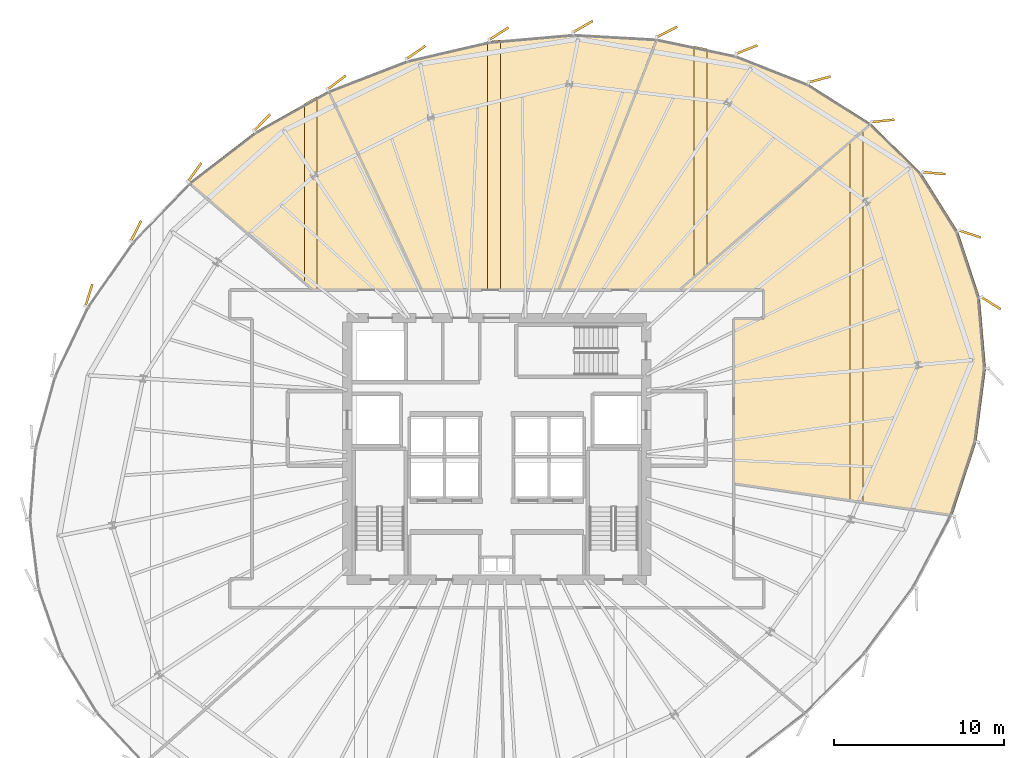
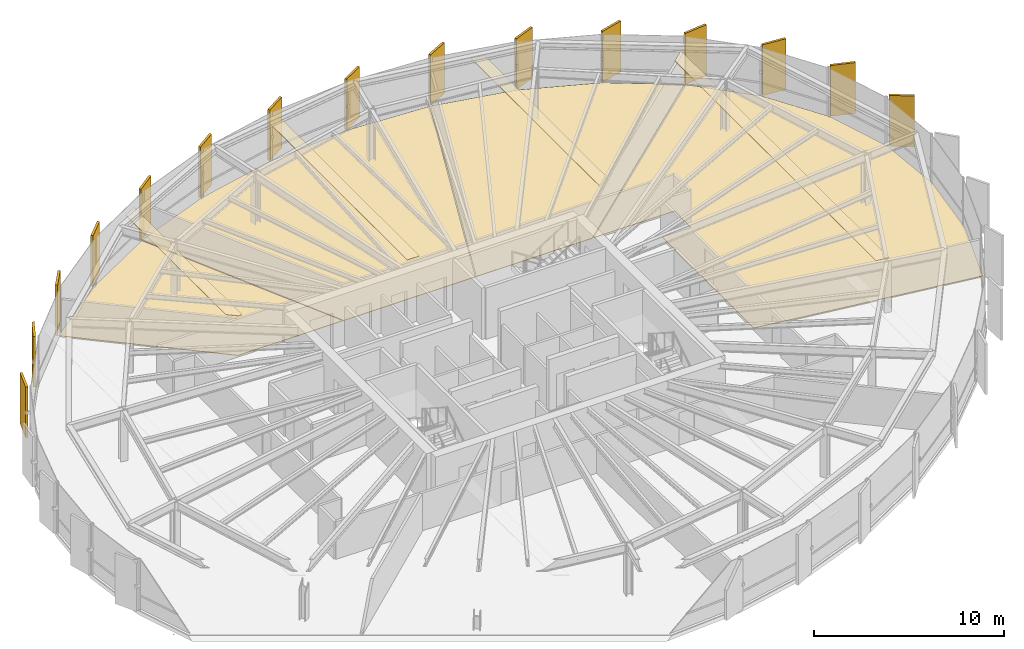
# One storey, part 35 of 35: 23 coverings.
"""IFC4 building model written with IfcOpenShell, lengths in metres."""

from ifc_helpers import new_model, si_unit, direction, frame, origin, origin_2d, place, context, subcontext, project, spatial, polyline, rectangle, outline, extrude, source, transform, mapped, material, layer, layer_set, type_object, element, save


model = new_model("IFC4")

# Units and contexts
model_context = context("Model", 3, precision=1e-05, world=origin(), true_north=direction((0.0, 1.0)))
body_context = subcontext(model_context, "Body", "Model", "MODEL_VIEW")
ifc_project = project(units=[si_unit("LENGTHUNIT", "METRE"), si_unit("AREAUNIT", "SQUARE_METRE"), si_unit("VOLUMEUNIT", "CUBIC_METRE"), si_unit("PLANEANGLEUNIT", "RADIAN"), si_unit("MASSUNIT", "GRAM", prefix="KILO"), si_unit("THERMODYNAMICTEMPERATUREUNIT", "KELVIN")], contexts=[model_context])

# Site, building, storey
site_placement = place(None, origin())
site = spatial("IfcSite", under=ifc_project, at=site_placement, CompositionType="ELEMENT")
building_placement = place(site_placement, origin())
building = spatial("IfcBuilding", under=site, at=building_placement, Name="Kethvar Cultural Tower", CompositionType="ELEMENT")
storey_placement = place(building_placement, frame((0.0, 0.0, 135.89990234375)))
storey = spatial("IfcBuildingStorey", under=building, at=storey_placement, Name="L34", CompositionType="ELEMENT", Elevation=135.89990234375)

# Coverings
ifc_material_1 = material(Name="Acoustic Mineral Fibre Ceiling")
ifc_layer_1 = layer(ifc_material_1, 0.0400390625, Name="Acoustic Mineral Fibre Ceiling")
ifc_layer_set_1 = layer_set([ifc_layer_1], Name="Acoustic Mineral Fibre Ceiling (40 mm)")
covering_type_1 = type_object("IfcCoveringType", Name="CV-ACOUSTIC-CEIL", PredefinedType="CEILING", material=ifc_layer_set_1)
covering_1_placement = place(storey_placement, frame((0.0, 0.0, 2.56005859375)))
element("IfcCovering", 1, at=covering_1_placement, inside=storey, type_object=covering_type_1, Name="L34 Room 04 Acoustic Ceiling Panel", PredefinedType="CEILING", context=body_context, shape_type="SweptSolid", body=[
    extrude(outline(polyline([(67.59326171875, 24.732177734375), (67.59326171875, 45.930419921875), (68.34326171875, 46.58349609375), (68.34326171875, 24.622314453125), (67.59326171875, 24.732177734375)])), origin(), (0.0, 0.0, 1.0), 0.0400390625),
])
covering_2_placement = place(storey_placement, frame((0.0, 0.0, 2.56005859375)))
element("IfcCovering", 2, at=covering_2_placement, inside=storey, type_object=covering_type_1, Name="L34 Room 05 Acoustic Ceiling Panel", PredefinedType="CEILING", context=body_context, shape_type="SweptSolid", body=[
    extrude(outline(polyline([(58.42138671875, 37.8916015625), (58.42138671875, 51.5048828125), (59.17138671875, 51.3466796875), (59.17138671875, 38.544677734375), (58.42138671875, 37.8916015625)])), origin(), (0.0, 0.0, 1.0), 0.0400390625),
])
covering_3_placement = place(storey_placement, frame((0.0, 0.0, 2.56005859375)))
element("IfcCovering", 3, at=covering_3_placement, inside=storey, type_object=covering_type_1, Name="L34 Room 06 Acoustic Ceiling Panel", PredefinedType="CEILING", context=body_context, shape_type="SweptSolid", body=[
    extrude(outline(polyline([(46.258544921875, 51.787353515625), (47.008544921875, 51.868896484375), (47.008544921875, 37.1298828125), (46.258544921875, 37.1298828125), (46.258544921875, 51.787353515625)])), origin(), (0.0, 0.0, 1.0), 0.0400390625),
])
covering_4_placement = place(storey_placement, frame((0.0, 0.0, 2.56005859375)))
element("IfcCovering", 4, at=covering_4_placement, inside=storey, type_object=covering_type_1, Name="L34 Room 07 Acoustic Ceiling Panel", PredefinedType="CEILING", context=body_context, shape_type="SweptSolid", body=[
    extrude(outline(polyline([(36.2265625, 48.535400390625), (36.2265625, 37.1298828125), (35.990478515625, 37.1298828125), (35.4765625, 37.568115234375), (35.4765625, 48.114501953125), (36.2265625, 48.535400390625)])), origin(), (0.0, 0.0, 1.0), 0.0400390625),
])
ifc_material_2 = material(Name="Honed Warm Limestone", Category="masonry")
ifc_layer_2 = layer(ifc_material_2, 0.030029296875, Name="Honed Warm Limestone", Category="masonry")
ifc_layer_set_2 = layer_set([ifc_layer_2], Name="Honed Warm Limestone (30 mm)")
covering_type_2 = type_object("IfcCoveringType", Name="CV-STONE-FLOOR", PredefinedType="FLOORING", material=ifc_layer_set_2)
covering_5_placement = place(storey_placement, origin())
element("IfcCovering", 5, at=covering_5_placement, inside=storey, type_object=covering_type_2, Name="L34 Room 04 Floor Finish", PredefinedType="FLOORING", context=body_context, shape_type="SweptSolid", body=[
    extrude(outline(polyline([(75.57470703125, 32.544189453125), (75.019287109375, 28.218994140625), (73.603759765625, 23.8916015625), (60.77001953125, 25.772705078125), (60.77001953125, 35.429931640625), (62.51416015625, 35.435791015625), (62.51904296875, 37.15576171875), (57.59228515625, 37.169921875), (68.808837890625, 46.935791015625), (71.7783203125, 44.019775390625), (73.943359375, 40.572509765625), (75.21923828125, 36.70751953125), (75.57470703125, 32.544189453125)])), origin(), (0.0, 0.0, 1.0), 0.030029296875),
])
covering_6_placement = place(storey_placement, origin())
element("IfcCovering", 6, at=covering_6_placement, inside=storey, type_object=covering_type_2, Name="L34 Room 05 Floor Finish", PredefinedType="FLOORING", context=body_context, shape_type="SweptSolid", body=[
    extrude(outline(polyline([(60.859619140625, 50.949462890625), (65.110595703125, 49.2763671875), (68.7763671875, 46.96044921875), (57.531494140625, 37.169921875), (50.47216796875, 37.169921875), (56.221923828125, 51.92822265625), (60.859619140625, 50.949462890625)])), origin(), (0.0, 0.0, 1.0), 0.030029296875),
])
covering_7_placement = place(storey_placement, origin())
element("IfcCovering", 7, at=covering_7_placement, inside=storey, type_object=covering_type_2, Name="L34 Room 06 Floor Finish", PredefinedType="FLOORING", context=body_context, shape_type="SweptSolid", body=[
    extrude(outline(polyline([(41.520751953125, 50.64990234375), (46.375732421875, 51.7734375), (51.32275390625, 52.205810546875), (56.180908203125, 51.932861328125), (50.42919921875, 37.169921875), (42.412841796875, 37.169921875), (36.907958984375, 48.86865234375), (41.520751953125, 50.64990234375)])), origin(), (0.0, 0.0, 1.0), 0.030029296875),
])
covering_8_placement = place(storey_placement, origin())
element("IfcCovering", 8, at=covering_8_placement, inside=storey, type_object=covering_type_2, Name="L34 Room 07 Floor Finish", PredefinedType="FLOORING", context=body_context, shape_type="SweptSolid", body=[
    extrude(outline(polyline([(32.577392578125, 46.44140625), (36.871826171875, 48.8515625), (42.36865234375, 37.169921875), (35.998046875, 37.169921875), (28.7158203125, 43.468994140625), (32.577392578125, 46.44140625)])), origin(), (0.0, 0.0, 1.0), 0.030029296875),
])
ifc_material_3 = material(Name="Extruded Architectural Terracotta", Category="masonry")
ifc_layer_3 = layer(ifc_material_3, 0.135009765625, Name="Extruded Architectural Terracotta", Category="masonry")
ifc_layer_set_3 = layer_set([ifc_layer_3], Name="Extruded Architectural Terracotta (135 mm)")
covering_type_3 = type_object("IfcCoveringType", Name="Terracotta Facade Fin FIN-02", PredefinedType="CLADDING", material=ifc_layer_set_3)
shared_shape = source(origin(), body_context, "Body", "SweptSolid", [
    extrude(rectangle(XDim=1.35009765625, YDim=0.135009765625, at=origin_2d()), origin(), (0.0, 0.0, 1.0), 3.260009765625),
])
for number, where, z_axis, x_axis, name in (
    (9, (74.649658203125, 40.44580078125, 0.02001953125), (0.0, 0.0, 1.0), (0.949972051525, -0.312334918512, 0.0), "L34 Vertical Terracotta Fin 1.1"),
    (10, (72.5224609375, 44.02880859375, 0.02001953125), (0.0, 0.0, 1.0), (0.995963111248, -0.089763472712, 0.0), "L34 Vertical Terracotta Fin 1.2"),
    (11, (69.523681640625, 47.101318359375, 0.02001953125), (0.0, 0.0, 1.0), (0.994485347462, 0.104875610524, 0.0), "L34 Vertical Terracotta Fin 1.3"),
    (12, (65.801025390625, 49.543212890625, 0.02001953125), (0.0, 0.0, 1.0), (0.96601611233, 0.258481857621, 0.0), "L34 Vertical Terracotta Fin 1.4"),
    (13, (61.5087890625, 51.297607421875, 0.02001953125), (0.0, 0.0, 1.0), (0.928550628654, 0.371205778547, 0.0), "L34 Vertical Terracotta Fin 1.5"),
    (14, (56.81689453125, 52.33447265625, 0.02001953125), (0.0, 0.0, 1.0), (0.893371388328, 0.449318998616, 0.0), "L34 Vertical Terracotta Fin 1.6"),
    (15, (51.861083984375, 52.639892578125, 0.02001953125), (0.0, 0.0, 1.0), (0.865850818101, 0.500302269426, 0.0), "L34 Vertical Terracotta Fin 2.1"),
    (16, (46.924560546875, 52.23291015625, 0.02001953125), (0.0, 0.0, 1.0), (0.844327925502, 0.535826794979, 0.0), "L34 Vertical Terracotta Fin 2.2"),
    (17, (42.042724609375, 51.125244140625, 0.02001953125), (0.0, 0.0, 1.0), (0.824817569156, 0.565398954378, 0.0), "L34 Vertical Terracotta Fin 2.3"),
    (18, (37.37841796875, 49.3583984375, 0.02001953125), (0.0, 0.0, 1.0), (0.795367703812, 0.606127227349, 0.0), "L34 Vertical Terracotta Fin 2.4"),
    (19, (32.989990234375, 47.003662109375, 0.02001953125), (0.0, 0.0, 1.0), (0.699788028863, 0.714350554462, 0.0), "L34 Vertical Terracotta Fin 2.5"),
    (20, (29.022216796875, 44.072265625, 0.02001953125), (0.0, 0.0, 1.0), (0.586089563144, 0.810246273656, 0.0), "L34 Vertical Terracotta Fin 2.6"),
    (21, (25.57080078125, 40.62109375, 0.02001953125), (0.0, 0.0, 1.0), (0.453057191132, 0.891481453292, 0.0), "L34 Vertical Terracotta Fin 3.1"),
    (22, (22.80322265625, 36.848388671875, 0.02001953125), (0.0, 0.0, 1.0), (0.300039906241, 0.953926650567, 0.0), "L34 Vertical Terracotta Fin 3.2"),
    (23, (75.884765625, 36.374755859375, 0.02001953125), (0.0, 0.0, 1.0), (0.844327925502, -0.535826794979, 0.0), "L34 Vertical Terracotta Fin 6.6"),
):
    element("IfcCovering", number, at=place(storey_placement, frame(where, z_axis=z_axis, x_axis=x_axis)), inside=storey, type_object=covering_type_3, Name=name, PredefinedType="CLADDING", context=body_context, shape_type="MappedRepresentation", body=[
        mapped(shared_shape, transform((0.0, 0.0, 0.0), scale=1.0)),
    ])

save(model, "model.ifc")
